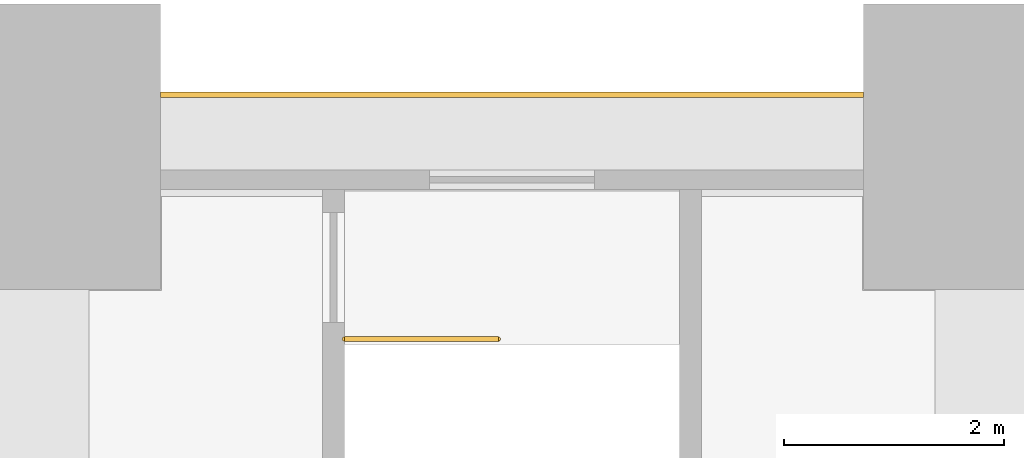
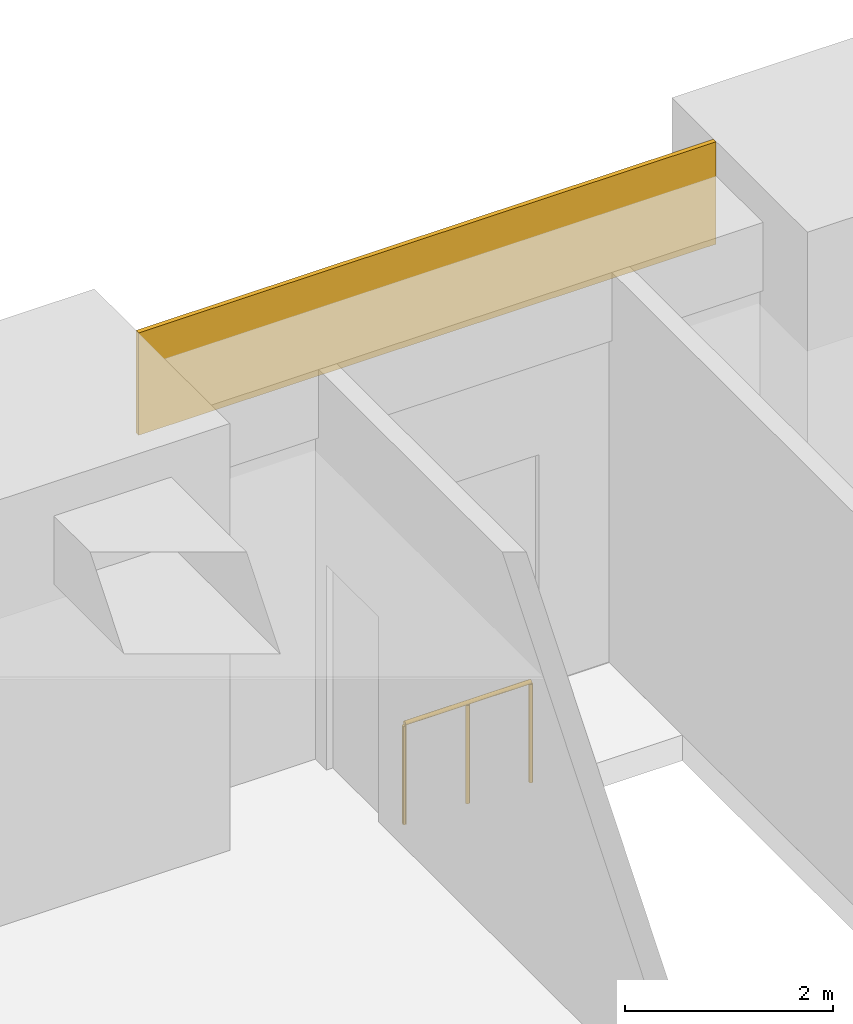
# One storey, part 46 of 46: 1 covering, 1 railing.
"""IFC4 building model written with IfcOpenShell, lengths in metres."""

from ifc_helpers import new_model, si_unit, direction, frame, frame_2d, origin, origin_2d, place, context, subcontext, project, spatial, rectangle, circle, extrude, material, layer, layer_set, type_object, element, save


model = new_model("IFC4")

# Units and contexts
model_context = context("Model", 3, precision=1e-05, world=origin(), true_north=direction((0.0, 1.0)))
body_context = subcontext(model_context, "Body", "Model", "MODEL_VIEW")
ifc_project = project(units=[si_unit("LENGTHUNIT", "METRE"), si_unit("AREAUNIT", "SQUARE_METRE"), si_unit("VOLUMEUNIT", "CUBIC_METRE"), si_unit("PLANEANGLEUNIT", "RADIAN"), si_unit("MASSUNIT", "GRAM", prefix="KILO")], contexts=[model_context])

# Site, building, storey
site_placement = place(None, origin())
site = spatial("IfcSite", under=ifc_project, at=site_placement, CompositionType="ELEMENT")
building_placement = place(site_placement, origin())
building = spatial("IfcBuilding", under=site, at=building_placement, Name="Zorevar Civic Tower", CompositionType="ELEMENT")
storey_placement = place(building_placement, frame((0.0, 0.0, 10.800048828125)))
storey = spatial("IfcBuildingStorey", under=building, at=storey_placement, Name="L02", CompositionType="ELEMENT", Elevation=10.800048828125)

# Covering
ifc_material_1 = material(Name="Black anodised aluminium spandrel panel", Category="aluminium")
ifc_layer = layer(ifc_material_1, 0.050048828125)
ifc_layer_set = layer_set([ifc_layer], Name="Spandrel cladding SP1")
covering_type = type_object("IfcCoveringType", Name="Spandrel cladding SP1", PredefinedType="CLADDING", material=ifc_layer_set)
covering_placement = place(storey_placement, frame((55.300048828125, 54.47509765625, 3.800048828125), z_axis=(0.0, 0.0, 1.0), x_axis=(1.0, 0.0, 0.0)))
element("IfcCovering", 1, at=covering_placement, inside=storey, type_object=covering_type, Name="Spandrel cladding L03", PredefinedType="CLADDING", context=body_context, shape_type="SweptSolid", body=[
    extrude(rectangle(XDim=6.39990234375, YDim=0.050048828125, at=frame_2d((3.199951171875, 0.0))), origin(), (0.0, 0.0, 1.0), 1.199951171875),
])

# Railing
ifc_material_2 = material(Name="Black steel guard with infill bars", Category="steel")
railing_type = type_object("IfcRailingType", Name="Stair guard GR2 1200", PredefinedType="GUARDRAIL", material=ifc_material_2)
railing_placement = place(storey_placement, frame((56.97509765625, 52.25, 0.0)))
element("IfcRailing", 2, at=railing_placement, inside=storey, type_object=railing_type, Name="Stair guard PS3 L02", PredefinedType="GUARDRAIL", context=body_context, shape_type="SweptSolid", body=[
    extrude(circle(Radius=0.02392578125, at=origin_2d()), frame((0.0, 0.0, 1.17578125), z_axis=(1.0, 0.0, 0.0), x_axis=(0.0, 1.0, 0.0)), (0.0, 0.0, 1.0), 1.39990234375),
    extrude(circle(Radius=0.02099609375, at=origin_2d()), origin(), (0.0, 0.0, 1.0), 1.15185546875),
    extrude(circle(Radius=0.02099609375, at=origin_2d()), frame((0.699951171875, 0.0, 0.0)), (0.0, 0.0, 1.0), 1.15185546875),
    extrude(circle(Radius=0.02099609375, at=origin_2d()), frame((1.39990234375, 0.0, 0.0)), (0.0, 0.0, 1.0), 1.15185546875),
])

save(model, "model.ifc")
